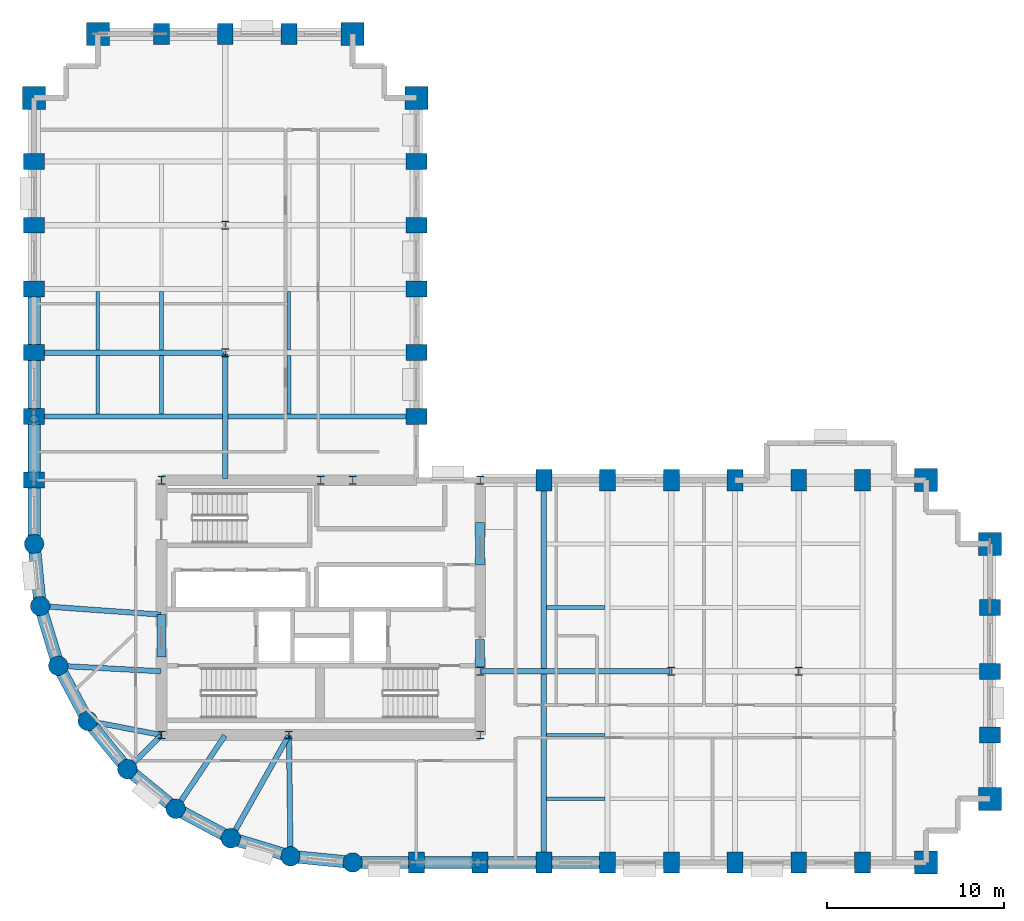
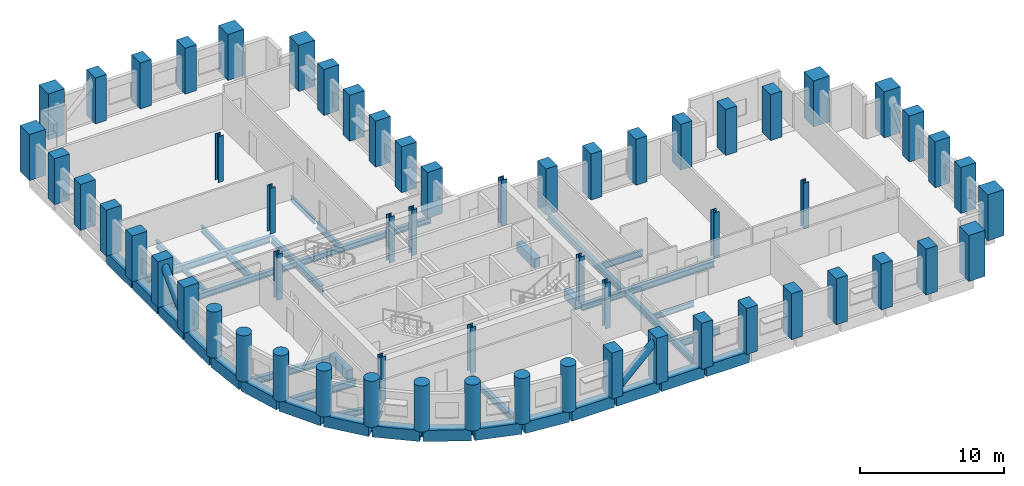
# One storey, part 1 of 9: 60 columns, 40 beams, 2 members.
"""IFC4 building model written with IfcOpenShell, lengths in metres."""

import ifcopenshell
import ifcopenshell.guid

model = None  # the IFC model being written
_history = None  # IfcOwnerHistory: only IFC2X3 demands one
_inside = {}  # id of a spatial element -> (the spatial element, [elements in it])
_under = {}  # id of a project, library or spatial element -> (it, [spatial elements below it])
_declared = {}  # id of a project -> (the project, [libraries it declares])
_typed = {}  # id of a type object -> (the type object, [elements of that type])
_made_of = {}  # id of a material, layer set ... -> (it, [elements and type objects made of it])


def new_model(schema):
    """Start an empty IFC model of exactly this schema.

    Asked for "IFC4X3", IfcOpenShell would pick the latest addendum, in which some entities
    have other attributes; the version numbers below select the first issue.
    IFC2X3 requires an IfcOwnerHistory on every rooted entity: one is made here for all.
    """
    global model, _history
    if schema == "IFC4X3":
        model = ifcopenshell.file(schema_version=(4, 3, 0, 0))
    else:
        model = ifcopenshell.file(schema=schema)
    _inside.clear()
    _under.clear()
    _declared.clear()
    _typed.clear()
    _made_of.clear()
    _history = None
    if model.schema == "IFC2X3":
        org = make("IfcOrganization", Name="unknown")
        user = make(
            "IfcPersonAndOrganization",
            ThePerson=make("IfcPerson", FamilyName="unknown"),
            TheOrganization=org,
        )
        app = make(
            "IfcApplication",
            ApplicationDeveloper=org,
            Version="unknown",
            ApplicationFullName="unknown",
            ApplicationIdentifier="unknown",
        )
        _history = make(
            "IfcOwnerHistory",
            OwningUser=user,
            OwningApplication=app,
            ChangeAction="ADDED",
            CreationDate=0,
        )
    return model


def make(cls, **values):
    """One entity of the class cls with the attributes given. An attribute that is None is left unset."""
    return model.create_entity(
        cls, **{name: value for name, value in values.items() if value is not None}
    )


def rooted(cls, **values):
    """An entity with a GlobalId (a new one), such as an element, a storey or a relation."""
    return make(cls, GlobalId=ifcopenshell.guid.new(), OwnerHistory=_history, **values)


def si_unit(unit_type, name, prefix=None):
    """IfcSIUnit, for example si_unit("LENGTHUNIT", "METRE", prefix="MILLI")."""
    return make("IfcSIUnit", UnitType=unit_type, Prefix=prefix, Name=name)


def assignment(units):
    """IfcUnitAssignment: the units of a project."""
    return None if units is None else make("IfcUnitAssignment", Units=units)


def point(xyz):
    """IfcCartesianPoint."""
    return None if xyz is None else make("IfcCartesianPoint", Coordinates=xyz)


def direction(xyz):
    """IfcDirection."""
    return None if xyz is None else make("IfcDirection", DirectionRatios=xyz)


def frame(location, z_axis=None, x_axis=None):
    """IfcAxis2Placement3D, a coordinate frame: its origin and axes. An axis left out is left unset."""
    return make(
        "IfcAxis2Placement3D",
        Location=point(location),
        Axis=direction(z_axis),
        RefDirection=direction(x_axis),
    )


def frame_2d(location, x_axis=None):
    """IfcAxis2Placement2D, a coordinate frame in the plane: its origin and x axis."""
    return make(
        "IfcAxis2Placement2D", Location=point(location), RefDirection=direction(x_axis)
    )


def origin():
    """The frame at (0, 0, 0) with its axes left unset."""
    return frame((0.0, 0.0, 0.0))


def origin_2d():
    """The frame at (0, 0) in the plane with its x axis left unset."""
    return frame_2d((0.0, 0.0))


def place(relative_to, where):
    """IfcLocalPlacement: puts the frame where relative to a parent placement (None: the world)."""
    return make(
        "IfcLocalPlacement", PlacementRelTo=relative_to, RelativePlacement=where
    )


def context(
    kind, dimensions, precision=None, world=None, true_north=None, identifier=None
):
    """IfcGeometricRepresentationContext, for example the 3D "Model" context."""
    return make(
        "IfcGeometricRepresentationContext",
        ContextIdentifier=identifier,
        ContextType=kind,
        CoordinateSpaceDimension=dimensions,
        Precision=precision,
        WorldCoordinateSystem=world,
        TrueNorth=true_north,
    )


def subcontext(parent, identifier, kind, view, scale=None):
    """IfcGeometricRepresentationSubContext, for example "Body" below "Model"."""
    return make(
        "IfcGeometricRepresentationSubContext",
        ContextIdentifier=identifier,
        ContextType=kind,
        ParentContext=parent,
        TargetScale=scale,
        TargetView=view,
    )


def project(units=None, contexts=None):
    """IfcProject with its units and contexts."""
    return rooted(
        "IfcProject",
        Name="project",
        RepresentationContexts=contexts,
        UnitsInContext=assignment(units),
    )


def spatial(cls, under=None, at=None, **own):
    """A site, building, storey or space (cls), placed at a placement, below another one or the project."""
    s = rooted(cls, ObjectPlacement=at, **own)
    if under is not None:
        _under.setdefault(under.id(), (under, []))[1].append(s)
    return s


def profile(cls, at=None, kind="AREA", **sizes):
    """A parametric profile (cls). Its sizes go by their IFC names, for example OverallWidth=200.0."""
    return make(cls, ProfileType=kind, Position=at, **sizes)


def rectangle(**sizes):
    """IfcRectangleProfileDef."""
    return profile("IfcRectangleProfileDef", **sizes)


def circle(**sizes):
    """IfcCircleProfileDef."""
    return profile("IfcCircleProfileDef", **sizes)


def hollow_circle(**sizes):
    """IfcCircleHollowProfileDef."""
    return profile("IfcCircleHollowProfileDef", **sizes)


def i_section(**sizes):
    """IfcIShapeProfileDef."""
    return profile("IfcIShapeProfileDef", **sizes)


def extrude(swept, where, along, depth):
    """IfcExtrudedAreaSolid: the profile swept, set in the frame where, extruded along a direction by depth."""
    return make(
        "IfcExtrudedAreaSolid",
        SweptArea=swept,
        Position=where,
        ExtrudedDirection=direction(along),
        Depth=depth,
    )


def shape(context_of_items, identifier, shape_type, items):
    """IfcShapeRepresentation: the items that make up one representation, for example the "Body"."""
    return make(
        "IfcShapeRepresentation",
        ContextOfItems=context_of_items,
        RepresentationIdentifier=identifier,
        RepresentationType=shape_type,
        Items=items,
    )


def material(Name=None, Category=None):
    """IfcMaterial."""
    return make("IfcMaterial", Name=Name, Category=Category)


def material_profile(
    of_material, cross_section, Name=None, Category=None, Priority=None
):
    """IfcMaterialProfile: a cross section and its material."""
    return make(
        "IfcMaterialProfile",
        Name=Name,
        Material=of_material,
        Profile=cross_section,
        Priority=Priority,
        Category=Category,
    )


def profile_set(profiles, Name=None, composite=None):
    """IfcMaterialProfileSet."""
    return make(
        "IfcMaterialProfileSet",
        Name=Name,
        MaterialProfiles=profiles,
        CompositeProfile=composite,
    )


def made_of(thing, what):
    """Note that an element or type object is made of a material, layer set ...; save() writes the relation."""
    if what is not None:
        _made_of.setdefault(what.id(), (what, []))[1].append(thing)
    return thing


def type_object(cls, material=None, **own):
    """A type object (cls), such as IfcWallType, which elements share."""
    return made_of(rooted(cls, **own), material)


def element(
    cls,
    number,
    at=None,
    inside=None,
    cuts=None,
    type_object=None,
    material=None,
    context=None,
    identifier="Body",
    shape_type=None,
    held_by="IfcProductDefinitionShape",
    body=None,
    shapes=None,
    **own,
):
    """One element of the class cls, such as IfcWall. Its Tag is "e" and its number.

    at: its placement. inside: the storey or other place that contains it. cuts: it is an
    opening in that element (IfcRelVoidsElement). A single representation is given by context,
    identifier, shape_type and body (its items); several are given by shapes. held_by: the class
    of the entity that holds the representations. save() writes the other relations.
    """
    e = rooted(cls, Tag="e%d" % number, ObjectPlacement=at, **own)
    if body is not None:
        shapes = [shape(context, identifier, shape_type, body)]
    if shapes is not None:
        e.Representation = make(held_by, Representations=shapes)
    if inside is not None:
        _inside.setdefault(inside.id(), (inside, []))[1].append(e)
    if cuts is not None:
        rooted(
            "IfcRelVoidsElement", RelatingBuildingElement=cuts, RelatedOpeningElement=e
        )
    if type_object is not None:
        _typed.setdefault(type_object.id(), (type_object, []))[1].append(e)
    return made_of(e, material)


def aggregate(whole, parts):
    """IfcRelAggregates: a whole, such as a stair, and the parts it consists of."""
    return rooted("IfcRelAggregates", RelatingObject=whole, RelatedObjects=parts)


def save(model, path):
    """Write the relations noted so far, then the file.

    IfcRelAggregates (storeys below a building ...), IfcRelContainedInSpatialStructure (elements
    in a storey), IfcRelDefinesByType, IfcRelAssociatesMaterial and IfcRelDeclares: one each for
    every whole, place, type object, material and project.
    """
    for whole, parts in _under.values():
        aggregate(whole, parts)
    for where, things in _inside.values():
        rooted(
            "IfcRelContainedInSpatialStructure",
            RelatedElements=things,
            RelatingStructure=where,
        )
    for kind, things in _typed.values():
        rooted("IfcRelDefinesByType", RelatedObjects=things, RelatingType=kind)
    for what, things in _made_of.values():
        rooted("IfcRelAssociatesMaterial", RelatedObjects=things, RelatingMaterial=what)
    for by, libraries in _declared.values():
        rooted("IfcRelDeclares", RelatingContext=by, RelatedDefinitions=libraries)
    model.write(path)


model = new_model("IFC4")

# Units and contexts
model_context = context("Model", 3, precision=1e-05, world=origin(), true_north=direction((0.0, 1.0)))
body_context = subcontext(model_context, "Body", "Model", "MODEL_VIEW")
ifc_project = project(units=[si_unit("LENGTHUNIT", "METRE"), si_unit("AREAUNIT", "SQUARE_METRE"), si_unit("VOLUMEUNIT", "CUBIC_METRE"), si_unit("PLANEANGLEUNIT", "RADIAN"), si_unit("MASSUNIT", "GRAM", prefix="KILO")], contexts=[model_context])

# Site, building, storey
site_placement = place(None, origin())
site = spatial("IfcSite", under=ifc_project, at=site_placement, CompositionType="ELEMENT")
building_placement = place(site_placement, origin())
building = spatial("IfcBuilding", under=site, at=building_placement, Name="Solnavia Interchange Tower", CompositionType="ELEMENT")
storey_placement = place(building_placement, frame((0.0, 0.0, 70.800048828125)))
storey = spatial("IfcBuildingStorey", under=building, at=storey_placement, Name="L17", CompositionType="ELEMENT", Elevation=70.800048828125)

# Columns
ifc_material_1 = material(Name="Concrete C60/75", Category="concrete")
ifc_material_profile_1 = material_profile(ifc_material_1, rectangle(XDim=0.89990234375, YDim=1.199951171875, at=origin_2d()), Name="RC 1200x900")
ifc_profile_set_1 = profile_set([ifc_material_profile_1], Name="Concrete C60/75")
column_type_1 = type_object("IfcColumnType", Name="Col-RC-1200x900", PredefinedType="COLUMN", material=ifc_profile_set_1)
for number, where, z_axis, x_axis, name in (
    (1, (7.199951171875, 25.199951171875, 0.0), (0.0, 0.0, 1.0), (0.0, 1.0, 0.0), "COL-L17-02 Tower perim y column"),
    (2, (7.199951171875, 28.800048828125, 0.0), (0.0, 0.0, 1.0), (0.0, 1.0, 0.0), "COL-L17-03 Tower perim y column"),
    (3, (7.199951171875, 32.39990234375, 0.0), (0.0, 0.0, 1.0), (0.0, 1.0, 0.0), "COL-L17-04 Tower perim y column"),
    (4, (7.199951171875, 36.0, 0.0), (0.0, 0.0, 1.0), (0.0, 1.0, 0.0), "COL-L17-05 Tower perim y column"),
    (5, (7.199951171875, 39.60009765625, 0.0), (0.0, 0.0, 1.0), (0.0, 1.0, 0.0), "COL-L17-06 Tower perim y column"),
    (6, (7.199951171875, 43.199951171875, 0.0), (0.0, 0.0, 1.0), (0.0, 1.0, 0.0), "COL-L17-07 Tower perim y column"),
    (7, (14.39990234375, 50.39990234375, 0.0), (0.0, 0.0, 1.0), (1.0, 0.0, 0.0), "COL-L17-16 Tower perim x column"),
    (8, (18.0, 50.39990234375, 0.0), (0.0, 0.0, 1.0), (1.0, 0.0, 0.0), "COL-L17-20 Tower perim x column"),
    (9, (21.60009765625, 50.39990234375, 0.0), (0.0, 0.0, 1.0), (1.0, 0.0, 0.0), "COL-L17-23 Tower perim x column"),
    (10, (28.800048828125, 3.60009765625, 0.0), (0.0, 0.0, 1.0), (1.0, 0.0, 0.0), "COL-L17-29 Tower perim x column"),
    (11, (28.800048828125, 28.800048828125, 0.0), (0.0, 0.0, 1.0), (0.0, 1.0, 0.0), "COL-L17-30 Tower perim y column"),
    (12, (28.800048828125, 32.39990234375, 0.0), (0.0, 0.0, 1.0), (0.0, 1.0, 0.0), "COL-L17-31 Tower perim y column"),
    (13, (28.800048828125, 36.0, 0.0), (0.0, 0.0, 1.0), (0.0, 1.0, 0.0), "COL-L17-32 Tower perim y column"),
    (14, (28.800048828125, 39.60009765625, 0.0), (0.0, 0.0, 1.0), (0.0, 1.0, 0.0), "COL-L17-33 Tower perim y column"),
    (15, (28.800048828125, 43.199951171875, 0.0), (0.0, 0.0, 1.0), (0.0, 1.0, 0.0), "COL-L17-34 Tower perim y column"),
    (16, (32.39990234375, 3.60009765625, 0.0), (0.0, 0.0, 1.0), (1.0, 0.0, 0.0), "COL-L17-36 Tower perim x column"),
    (17, (36.0, 3.60009765625, 0.0), (0.0, 0.0, 1.0), (1.0, 0.0, 0.0), "COL-L17-40 Tower perim x column"),
    (18, (36.0, 25.199951171875, 0.0), (0.0, 0.0, 1.0), (1.0, 0.0, 0.0), "COL-L17-41 Tower perim x column"),
    (19, (39.60009765625, 3.60009765625, 0.0), (0.0, 0.0, 1.0), (1.0, 0.0, 0.0), "COL-L17-42 Tower perim x column"),
    (20, (39.60009765625, 25.199951171875, 0.0), (0.0, 0.0, 1.0), (1.0, 0.0, 0.0), "COL-L17-43 Tower perim x column"),
    (21, (43.199951171875, 3.60009765625, 0.0), (0.0, 0.0, 1.0), (1.0, 0.0, 0.0), "COL-L17-44 Tower perim x column"),
    (22, (43.199951171875, 25.199951171875, 0.0), (0.0, 0.0, 1.0), (1.0, 0.0, 0.0), "COL-L17-46 Tower perim x column"),
    (23, (46.800048828125, 3.60009765625, 0.0), (0.0, 0.0, 1.0), (1.0, 0.0, 0.0), "COL-L17-47 Tower perim x column"),
    (24, (46.800048828125, 25.199951171875, 0.0), (0.0, 0.0, 1.0), (1.0, 0.0, 0.0), "COL-L17-48 Tower perim x column"),
    (25, (50.39990234375, 3.60009765625, 0.0), (0.0, 0.0, 1.0), (1.0, 0.0, 0.0), "COL-L17-49 Tower perim x column"),
    (26, (50.39990234375, 25.199951171875, 0.0), (0.0, 0.0, 1.0), (1.0, 0.0, 0.0), "COL-L17-51 Tower perim x column"),
    (27, (54.0, 3.60009765625, 0.0), (0.0, 0.0, 1.0), (1.0, 0.0, 0.0), "COL-L17-52 Tower perim x column"),
    (28, (54.0, 25.199951171875, 0.0), (0.0, 0.0, 1.0), (1.0, 0.0, 0.0), "COL-L17-53 Tower perim x column"),
    (29, (61.199951171875, 10.800048828125, 0.0), (0.0, 0.0, 1.0), (0.0, 1.0, 0.0), "COL-L17-57 Tower perim y column"),
    (30, (61.199951171875, 14.39990234375, 0.0), (0.0, 0.0, 1.0), (0.0, 1.0, 0.0), "COL-L17-58 Tower perim y column"),
    (31, (61.199951171875, 18.0, 0.0), (0.0, 0.0, 1.0), (0.0, 1.0, 0.0), "COL-L17-59 Tower perim y column"),
):
    element("IfcColumn", number, at=place(storey_placement, frame(where, z_axis=z_axis, x_axis=x_axis)), inside=storey, type_object=column_type_1, Name=name, PredefinedType="COLUMN", context=body_context, shape_type="SweptSolid", body=[
        extrude(rectangle(XDim=0.89990234375, YDim=1.199951171875, at=origin_2d()), origin(), (0.0, 0.0, 1.0), 3.89990234375),
    ])
ifc_material_profile_2 = material_profile(ifc_material_1, rectangle(XDim=1.300048828125, YDim=1.300048828125, at=origin_2d()), Name="RC 1300x1300")
ifc_profile_set_2 = profile_set([ifc_material_profile_2], Name="Concrete C60/75")
column_type_2 = type_object("IfcColumnType", Name="Col-RC-1300x1300", PredefinedType="COLUMN", material=ifc_profile_set_2)
for number, where, z_axis, x_axis, name in (
    (32, (7.199951171875, 46.800048828125, 0.0), (0.0, 0.0, 1.0), (0.0, 1.0, 0.0), "COL-L17-08 Tower corner column"),
    (33, (10.800048828125, 50.39990234375, 0.0), (0.0, 0.0, 1.0), (1.0, 0.0, 0.0), "COL-L17-12 Tower corner column"),
    (34, (25.199951171875, 50.39990234375, 0.0), (0.0, 0.0, 1.0), (1.0, 0.0, 0.0), "COL-L17-28 Tower corner column"),
    (35, (28.800048828125, 46.800048828125, 0.0), (0.0, 0.0, 1.0), (0.0, 1.0, 0.0), "COL-L17-35 Tower corner column"),
    (36, (57.60009765625, 3.60009765625, 0.0), (0.0, 0.0, 1.0), (1.0, 0.0, 0.0), "COL-L17-54 Tower corner column"),
    (37, (57.60009765625, 25.199951171875, 0.0), (0.0, 0.0, 1.0), (1.0, 0.0, 0.0), "COL-L17-55 Tower corner column"),
    (38, (61.199951171875, 7.199951171875, 0.0), (0.0, 0.0, 1.0), (1.0, 0.0, 0.0), "COL-L17-56 Tower corner column"),
    (39, (61.199951171875, 21.60009765625, 0.0), (0.0, 0.0, 1.0), (0.0, 1.0, 0.0), "COL-L17-60 Tower corner column"),
):
    element("IfcColumn", number, at=place(storey_placement, frame(where, z_axis=z_axis, x_axis=x_axis)), inside=storey, type_object=column_type_2, Name=name, PredefinedType="COLUMN", context=body_context, shape_type="SweptSolid", body=[
        extrude(rectangle(XDim=1.300048828125, YDim=1.300048828125, at=origin_2d()), origin(), (0.0, 0.0, 1.0), 3.89990234375),
    ])
ifc_material_profile_3 = material_profile(ifc_material_1, circle(Radius=0.550048828125, at=origin_2d()), Name="RC D1100")
ifc_profile_set_3 = profile_set([ifc_material_profile_3], Name="Concrete C60/75")
column_type_3 = type_object("IfcColumnType", Name="Col-RC-D1100", PredefinedType="COLUMN", material=ifc_profile_set_3)
for number, where, z_axis, x_axis, name in (
    (40, (7.199951171875, 21.60009765625, 0.0), (0.0, 0.0, 1.0), (1.0, 0.0, 0.0), "COL-L17-01 Tower drum column"),
    (41, (7.5458984375, 18.087890625, 0.0), (0.0, 0.0, 1.0), (1.0, 0.0, 0.0), "COL-L17-09 Tower drum column"),
    (42, (8.570068359375, 14.7119140625, 0.0), (0.0, 0.0, 1.0), (1.0, 0.0, 0.0), "COL-L17-10 Tower drum column"),
    (43, (10.23388671875, 11.60009765625, 0.0), (0.0, 0.0, 1.0), (1.0, 0.0, 0.0), "COL-L17-11 Tower drum column"),
    (44, (12.471923828125, 8.8720703125, 0.0), (0.0, 0.0, 1.0), (1.0, 0.0, 0.0), "COL-L17-13 Tower drum column"),
    (45, (15.199951171875, 6.634033203125, 0.0), (0.0, 0.0, 1.0), (1.0, 0.0, 0.0), "COL-L17-17 Tower drum column"),
    (46, (18.31201171875, 4.969970703125, 0.0), (0.0, 0.0, 1.0), (1.0, 0.0, 0.0), "COL-L17-21 Tower drum column"),
    (47, (21.68798828125, 3.946044921875, 0.0), (0.0, 0.0, 1.0), (1.0, 0.0, 0.0), "COL-L17-24 Tower drum column"),
    (48, (25.199951171875, 3.60009765625, 0.0), (0.0, 0.0, 1.0), (1.0, 0.0, 0.0), "COL-L17-26 Tower drum column"),
):
    element("IfcColumn", number, at=place(storey_placement, frame(where, z_axis=z_axis, x_axis=x_axis)), inside=storey, type_object=column_type_3, Name=name, PredefinedType="COLUMN", context=body_context, shape_type="SweptSolid", body=[
        extrude(circle(Radius=0.550048828125, at=origin_2d()), origin(), (0.0, 0.0, 1.0), 3.89990234375),
    ])
ifc_material_2 = material(Name="Steel S355", Category="steel")
ifc_material_profile_4 = material_profile(ifc_material_2, i_section(OverallWidth=0.424072265625, OverallDepth=0.467041015625, WebThickness=0.032958984375, FlangeThickness=0.053466796875, FilletRadius=0.014892578125, at=origin_2d()), Name="HD 400x509")
ifc_profile_set_4 = profile_set([ifc_material_profile_4], Name="Steel S355")
column_type_4 = type_object("IfcColumnType", Name="Col-Steel-HD400x509", PredefinedType="COLUMN", material=ifc_profile_set_4)
for number, where, z_axis, x_axis, name in (
    (49, (14.39990234375, 10.800048828125, 0.0), (0.0, 0.0, 1.0), (1.0, 0.0, 0.0), "COL-L17-14 Tower interior column"),
    (50, (14.39990234375, 25.199951171875, 0.0), (0.0, 0.0, 1.0), (1.0, 0.0, 0.0), "COL-L17-15 Tower interior column"),
    (51, (18.0, 32.39990234375, 0.0), (0.0, 0.0, 1.0), (1.0, 0.0, 0.0), "COL-L17-18 Tower interior column"),
    (52, (18.0, 39.60009765625, 0.0), (0.0, 0.0, 1.0), (1.0, 0.0, 0.0), "COL-L17-19 Tower interior column"),
    (53, (21.60009765625, 10.800048828125, 0.0), (0.0, 0.0, 1.0), (1.0, 0.0, 0.0), "COL-L17-22 Tower interior column"),
    (54, (23.39990234375, 25.199951171875, 0.0), (0.0, 0.0, 1.0), (1.0, 0.0, 0.0), "COL-L17-25 Tower interior column"),
    (55, (25.199951171875, 25.199951171875, 0.0), (0.0, 0.0, 1.0), (1.0, 0.0, 0.0), "COL-L17-27 Tower interior column"),
    (56, (32.39990234375, 10.800048828125, 0.0), (0.0, 0.0, 1.0), (1.0, 0.0, 0.0), "COL-L17-37 Tower interior column"),
    (57, (32.39990234375, 14.39990234375, 0.0), (0.0, 0.0, 1.0), (1.0, 0.0, 0.0), "COL-L17-38 Tower interior column"),
    (58, (32.39990234375, 25.199951171875, 0.0), (0.0, 0.0, 1.0), (1.0, 0.0, 0.0), "COL-L17-39 Tower interior column"),
    (59, (43.199951171875, 14.39990234375, 0.0), (0.0, 0.0, 1.0), (1.0, 0.0, 0.0), "COL-L17-45 Tower interior column"),
    (60, (50.39990234375, 14.39990234375, 0.0), (0.0, 0.0, 1.0), (1.0, 0.0, 0.0), "COL-L17-50 Tower interior column"),
):
    element("IfcColumn", number, at=place(storey_placement, frame(where, z_axis=z_axis, x_axis=x_axis)), inside=storey, type_object=column_type_4, Name=name, PredefinedType="COLUMN", context=body_context, shape_type="SweptSolid", body=[
        extrude(i_section(OverallWidth=0.424072265625, OverallDepth=0.467041015625, WebThickness=0.032958984375, FlangeThickness=0.053466796875, FilletRadius=0.014892578125, at=origin_2d()), origin(), (0.0, 0.0, 1.0), 3.89990234375),
    ])

# Beams
ifc_material_3 = material(Name="Concrete C50/60", Category="concrete")
ifc_material_profile_5 = material_profile(ifc_material_3, rectangle(XDim=0.5, YDim=0.800048828125, at=origin_2d()), Name="RC 500x800")
ifc_profile_set_5 = profile_set([ifc_material_profile_5], Name="Concrete C50/60")
beam_type_1 = type_object("IfcBeamType", Name="Beam-Coupling-RC500x800", PredefinedType="LINTEL", material=ifc_profile_set_5)
beam_1_placement = place(storey_placement, frame((14.39990234375, 15.199951171875, -0.400146484375), z_axis=(0.0, 1.0, 0.0), x_axis=(-1.0, 0.0, 0.0)))
element("IfcBeam", 61, at=beam_1_placement, inside=storey, type_object=beam_type_1, Name="CPB-L17-W1 Core coupling lintel beam", PredefinedType="LINTEL", context=body_context, shape_type="SweptSolid", body=[
    extrude(rectangle(XDim=0.5, YDim=0.800048828125, at=origin_2d()), origin(), (0.0, 0.0, 1.0), 2.400146484375),
])
beam_2_placement = place(storey_placement, frame((32.39990234375, 14.60009765625, -0.400146484375), z_axis=(0.0, 1.0, 0.0), x_axis=(-1.0, 0.0, 0.0)))
element("IfcBeam", 62, at=beam_2_placement, inside=storey, type_object=beam_type_1, Name="CPB-L17-E1 Core coupling lintel beam", PredefinedType="LINTEL", context=body_context, shape_type="SweptSolid", body=[
    extrude(rectangle(XDim=0.5, YDim=0.800048828125, at=origin_2d()), origin(), (0.0, 0.0, 1.0), 1.599853515625),
])
beam_3_placement = place(storey_placement, frame((32.39990234375, 20.39990234375, -0.400146484375), z_axis=(0.0, 1.0, 0.0), x_axis=(-1.0, 0.0, 0.0)))
element("IfcBeam", 63, at=beam_3_placement, inside=storey, type_object=beam_type_1, Name="CPB-L17-E2 Core coupling lintel beam", PredefinedType="LINTEL", context=body_context, shape_type="SweptSolid", body=[
    extrude(rectangle(XDim=0.5, YDim=0.800048828125, at=origin_2d()), origin(), (0.0, 0.0, 1.0), 2.400146484375),
])
ifc_material_4 = material(Name="Steel S460", Category="steel")
ifc_material_profile_6 = material_profile(ifc_material_4, i_section(OverallWidth=0.300048828125, OverallDepth=0.550048828125, WebThickness=0.014892578125, FlangeThickness=0.029052734375, FilletRadius=0.027099609375, at=origin_2d()), Name="HEB 550")
ifc_profile_set_6 = profile_set([ifc_material_profile_6], Name="Steel S460")
beam_type_2 = type_object("IfcBeamType", Name="Beam-Girder-HEB550", PredefinedType="BEAM", material=ifc_profile_set_6)
beam_4_placement = place(storey_placement, frame((32.47998046875, 14.39990234375, -0.525146484375), z_axis=(1.0, 0.0, 0.0), x_axis=(0.0, 1.0, 0.0)))
element("IfcBeam", 64, at=beam_4_placement, inside=storey, type_object=beam_type_2, Name="GRD-L17-ES01 East wing spine girder", PredefinedType="BEAM", context=body_context, shape_type="SweptSolid", body=[
    extrude(i_section(OverallWidth=0.300048828125, OverallDepth=0.550048828125, WebThickness=0.014892578125, FlangeThickness=0.029052734375, FilletRadius=0.027099609375, at=origin_2d()), origin(), (0.0, 0.0, 1.0), 10.64013671875),
])
beam_5_placement = place(storey_placement, frame((36.0, 3.679931640625, -0.525146484375), z_axis=(0.0, 1.0, 0.0), x_axis=(-1.0, 0.0, 0.0)))
element("IfcBeam", 65, at=beam_5_placement, inside=storey, type_object=beam_type_2, Name="GRD-L17-EW04 East wing primary floor girder", PredefinedType="BEAM", context=body_context, shape_type="SweptSolid", body=[
    extrude(i_section(OverallWidth=0.300048828125, OverallDepth=0.550048828125, WebThickness=0.014892578125, FlangeThickness=0.029052734375, FilletRadius=0.027099609375, at=origin_2d()), origin(), (0.0, 0.0, 1.0), 21.440185546875),
])
beam_6_placement = place(storey_placement, frame((18.0, 25.280029296875, -0.525146484375), z_axis=(0.0, 1.0, 0.0), x_axis=(-1.0, 0.0, 0.0)))
element("IfcBeam", 66, at=beam_6_placement, inside=storey, type_object=beam_type_2, Name="GRD-L17-NS12 North wing spine girder", PredefinedType="BEAM", context=body_context, shape_type="SweptSolid", body=[
    extrude(i_section(OverallWidth=0.300048828125, OverallDepth=0.550048828125, WebThickness=0.014892578125, FlangeThickness=0.029052734375, FilletRadius=0.027099609375, at=origin_2d()), origin(), (0.0, 0.0, 1.0), 7.0400390625),
])
beam_7_placement = place(storey_placement, frame((7.280029296875, 32.39990234375, -0.525146484375), z_axis=(1.0, 0.0, 0.0), x_axis=(0.0, 1.0, 0.0)))
element("IfcBeam", 67, at=beam_7_placement, inside=storey, type_object=beam_type_2, Name="GRD-L17-NW16 North wing primary floor girder", PredefinedType="BEAM", context=body_context, shape_type="SweptSolid", body=[
    extrude(i_section(OverallWidth=0.300048828125, OverallDepth=0.550048828125, WebThickness=0.014892578125, FlangeThickness=0.029052734375, FilletRadius=0.027099609375, at=origin_2d()), origin(), (0.0, 0.0, 1.0), 10.639892578125),
])
beam_8_placement = place(storey_placement, frame((7.625732421875, 18.082275390625, -0.525146484375), z_axis=(0.99747482749, -0.071020902015, 0.0), x_axis=(0.071020902015, 0.99747482749, 0.0)))
element("IfcBeam", 68, at=beam_8_placement, inside=storey, type_object=beam_type_2, Name="GRD-L17-DR22 Drum radial floor girder", PredefinedType="BEAM", context=body_context, shape_type="SweptSolid", body=[
    extrude(i_section(OverallWidth=0.300048828125, OverallDepth=0.550048828125, WebThickness=0.014892578125, FlangeThickness=0.029052734375, FilletRadius=0.027099609375, at=origin_2d()), origin(), (0.0, 0.0, 1.0), 6.75146484375),
])
beam_9_placement = place(storey_placement, frame((12.528564453125, 8.9287109375, -0.525146484375), z_axis=(0.707106781187, 0.707106781187, 0.0), x_axis=(-0.707106781187, 0.707106781187, 0.0)))
element("IfcBeam", 69, at=beam_9_placement, inside=storey, type_object=beam_type_2, Name="GRD-L17-DR25 Drum radial floor girder", PredefinedType="BEAM", context=body_context, shape_type="SweptSolid", body=[
    extrude(i_section(OverallWidth=0.300048828125, OverallDepth=0.550048828125, WebThickness=0.014892578125, FlangeThickness=0.029052734375, FilletRadius=0.027099609375, at=origin_2d()), origin(), (0.0, 0.0, 1.0), 2.6064453125),
])
beam_10_placement = place(storey_placement, frame((21.68701171875, 4.02587890625, -0.525146484375), z_axis=(-0.01283293513, 0.999917654498, 0.0), x_axis=(-0.999917654498, -0.01283293513, 0.0)))
element("IfcBeam", 70, at=beam_10_placement, inside=storey, type_object=beam_type_2, Name="GRD-L17-DR28 Drum radial floor girder", PredefinedType="BEAM", context=body_context, shape_type="SweptSolid", body=[
    extrude(i_section(OverallWidth=0.300048828125, OverallDepth=0.550048828125, WebThickness=0.014892578125, FlangeThickness=0.029052734375, FilletRadius=0.027099609375, at=origin_2d()), origin(), (0.0, 0.0, 1.0), 6.734619140625),
])
ifc_material_profile_7 = material_profile(ifc_material_2, i_section(OverallWidth=0.18994140625, OverallDepth=0.449951171875, WebThickness=0.009521484375, FlangeThickness=0.0146484375, FilletRadius=0.02099609375, at=origin_2d()), Name="IPE 450")
ifc_profile_set_7 = profile_set([ifc_material_profile_7], Name="Steel S355")
beam_type_3 = type_object("IfcBeamType", Name="Beam-Joist-IPE450", PredefinedType="JOIST", material=ifc_profile_set_7)
for number, where, z_axis, x_axis, name in (
    (71, (36.14990234375, 10.800048828125, -0.47509765625), (1.0, 0.0, 0.0), (0.0, 1.0, 0.0), "JST-L17-E06 East wing secondary joist"),
    (72, (10.800048828125, 28.949951171875, -0.47509765625), (0.0, 1.0, 0.0), (-1.0, 0.0, 0.0), "JST-L17-N21 North wing secondary joist"),
    (73, (21.60009765625, 32.550048828125, -0.47509765625), (0.0, 1.0, 0.0), (-1.0, 0.0, 0.0), "JST-L17-N30 North wing secondary joist"),
):
    element("IfcBeam", number, at=place(storey_placement, frame(where, z_axis=z_axis, x_axis=x_axis)), inside=storey, type_object=beam_type_3, Name=name, PredefinedType="JOIST", context=body_context, shape_type="SweptSolid", body=[
        extrude(i_section(OverallWidth=0.18994140625, OverallDepth=0.449951171875, WebThickness=0.009521484375, FlangeThickness=0.0146484375, FilletRadius=0.02099609375, at=origin_2d()), origin(), (0.0, 0.0, 1.0), 3.300048828125),
    ])
ifc_material_profile_8 = material_profile(ifc_material_2, i_section(OverallWidth=0.2099609375, OverallDepth=0.550048828125, WebThickness=0.010986328125, FlangeThickness=0.01708984375, FilletRadius=0.02392578125, at=origin_2d()), Name="IPE 550")
ifc_profile_set_8 = profile_set([ifc_material_profile_8], Name="Steel S355")
beam_type_4 = type_object("IfcBeamType", Name="Beam-Joist-IPE550", PredefinedType="JOIST", material=ifc_profile_set_8)
for number, where, z_axis, x_axis, name in (
    (74, (36.14990234375, 18.0, -0.525146484375), (1.0, 0.0, 0.0), (0.0, 1.0, 0.0), "JST-L17-E11 East wing secondary joist"),
    (75, (14.39990234375, 32.550048828125, -0.525146484375), (0.0, 1.0, 0.0), (-1.0, 0.0, 0.0), "JST-L17-N26 North wing secondary joist"),
    (76, (21.60009765625, 28.949951171875, -0.525146484375), (0.0, 1.0, 0.0), (-1.0, 0.0, 0.0), "JST-L17-N29 North wing secondary joist"),
):
    element("IfcBeam", number, at=place(storey_placement, frame(where, z_axis=z_axis, x_axis=x_axis)), inside=storey, type_object=beam_type_4, Name=name, PredefinedType="JOIST", context=body_context, shape_type="SweptSolid", body=[
        extrude(i_section(OverallWidth=0.2099609375, OverallDepth=0.550048828125, WebThickness=0.010986328125, FlangeThickness=0.01708984375, FilletRadius=0.02392578125, at=origin_2d()), origin(), (0.0, 0.0, 1.0), 3.300048828125),
    ])
ifc_material_profile_9 = material_profile(ifc_material_2, i_section(OverallWidth=0.219970703125, OverallDepth=0.60009765625, WebThickness=0.011962890625, FlangeThickness=0.01904296875, FilletRadius=0.02392578125, at=origin_2d()), Name="IPE 600")
ifc_profile_set_9 = profile_set([ifc_material_profile_9], Name="Steel S355")
beam_type_5 = type_object("IfcBeamType", Name="Beam-Joist-IPE600", PredefinedType="JOIST", material=ifc_profile_set_9)
for number, where, z_axis, x_axis, name in (
    (77, (36.14990234375, 7.199951171875, -0.550048828125), (1.0, 0.0, 0.0), (0.0, 1.0, 0.0), "JST-L17-E01 East wing secondary joist"),
    (78, (10.800048828125, 32.550048828125, -0.550048828125), (0.0, 1.0, 0.0), (-1.0, 0.0, 0.0), "JST-L17-N22 North wing secondary joist"),
    (79, (14.39990234375, 28.949951171875, -0.550048828125), (0.0, 1.0, 0.0), (-1.0, 0.0, 0.0), "JST-L17-N25 North wing secondary joist"),
):
    element("IfcBeam", number, at=place(storey_placement, frame(where, z_axis=z_axis, x_axis=x_axis)), inside=storey, type_object=beam_type_5, Name=name, PredefinedType="JOIST", context=body_context, shape_type="SweptSolid", body=[
        extrude(i_section(OverallWidth=0.219970703125, OverallDepth=0.60009765625, WebThickness=0.011962890625, FlangeThickness=0.01904296875, FilletRadius=0.02392578125, at=origin_2d()), origin(), (0.0, 0.0, 1.0), 3.300048828125),
    ])
ifc_material_profile_10 = material_profile(ifc_material_2, i_section(OverallWidth=0.300048828125, OverallDepth=0.489990234375, WebThickness=0.011962890625, FlangeThickness=0.02294921875, FilletRadius=0.027099609375, at=origin_2d()), Name="HEA 500")
ifc_profile_set_10 = profile_set([ifc_material_profile_10], Name="Steel S355")
beam_type_6 = type_object("IfcBeamType", Name="Beam-Primary-HEA500", PredefinedType="BEAM", material=ifc_profile_set_10)
beam_11_placement = place(storey_placement, frame((7.280029296875, 28.800048828125, -0.4951171875), z_axis=(1.0, 0.0, 0.0), x_axis=(0.0, 1.0, 0.0)))
element("IfcBeam", 80, at=beam_11_placement, inside=storey, type_object=beam_type_6, Name="GRD-L17-NW15 North wing primary floor girder", PredefinedType="BEAM", context=body_context, shape_type="SweptSolid", body=[
    extrude(i_section(OverallWidth=0.300048828125, OverallDepth=0.489990234375, WebThickness=0.011962890625, FlangeThickness=0.02294921875, FilletRadius=0.027099609375, at=origin_2d()), origin(), (0.0, 0.0, 1.0), 21.43994140625),
])
beam_12_placement = place(storey_placement, frame((10.3125, 11.5849609375, -0.4951171875), z_axis=(0.982057527796, -0.188581579428, 0.0), x_axis=(0.188581579428, 0.982057527796, 0.0)))
element("IfcBeam", 81, at=beam_12_placement, inside=storey, type_object=beam_type_6, Name="GRD-L17-DR24 Drum radial floor girder", PredefinedType="BEAM", context=body_context, shape_type="SweptSolid", body=[
    extrude(i_section(OverallWidth=0.300048828125, OverallDepth=0.489990234375, WebThickness=0.011962890625, FlangeThickness=0.02294921875, FilletRadius=0.027099609375, at=origin_2d()), origin(), (0.0, 0.0, 1.0), 4.1220703125),
])
beam_13_placement = place(storey_placement, frame((18.351318359375, 5.039794921875, -0.4951171875), z_axis=(0.491243158486, 0.871022479182, 0.0), x_axis=(-0.871022479182, 0.491243158486, 0.0)))
element("IfcBeam", 82, at=beam_13_placement, inside=storey, type_object=beam_type_6, Name="GRD-L17-DR27 Drum radial floor girder", PredefinedType="BEAM", context=body_context, shape_type="SweptSolid", body=[
    extrude(i_section(OverallWidth=0.300048828125, OverallDepth=0.489990234375, WebThickness=0.011962890625, FlangeThickness=0.02294921875, FilletRadius=0.027099609375, at=origin_2d()), origin(), (0.0, 0.0, 1.0), 6.5732421875),
])
ifc_material_profile_11 = material_profile(ifc_material_2, i_section(OverallWidth=0.300048828125, OverallDepth=0.590087890625, WebThickness=0.012939453125, FlangeThickness=0.02490234375, FilletRadius=0.027099609375, at=origin_2d()), Name="HEA 600")
ifc_profile_set_11 = profile_set([ifc_material_profile_11], Name="Steel S355")
beam_type_7 = type_object("IfcBeamType", Name="Beam-Primary-HEA600", PredefinedType="BEAM", material=ifc_profile_set_11)
beam_14_placement = place(storey_placement, frame((8.64990234375, 14.707763671875, -0.545166015625), z_axis=(0.998570371303, -0.053452909696, 0.0), x_axis=(0.053452909696, 0.998570371303, 0.0)))
element("IfcBeam", 83, at=beam_14_placement, inside=storey, type_object=beam_type_7, Name="GRD-L17-DR23 Drum radial floor girder", PredefinedType="BEAM", context=body_context, shape_type="SweptSolid", body=[
    extrude(i_section(OverallWidth=0.300048828125, OverallDepth=0.590087890625, WebThickness=0.012939453125, FlangeThickness=0.02490234375, FilletRadius=0.027099609375, at=origin_2d()), origin(), (0.0, 0.0, 1.0), 5.71826171875),
])
beam_15_placement = place(storey_placement, frame((15.24462890625, 6.700439453125, -0.545166015625), z_axis=(0.557835474219, 0.829951555033, 0.0), x_axis=(-0.829951555033, 0.557835474219, 0.0)))
element("IfcBeam", 84, at=beam_15_placement, inside=storey, type_object=beam_type_7, Name="GRD-L17-DR26 Drum radial floor girder", PredefinedType="BEAM", context=body_context, shape_type="SweptSolid", body=[
    extrude(i_section(OverallWidth=0.300048828125, OverallDepth=0.590087890625, WebThickness=0.012939453125, FlangeThickness=0.02490234375, FilletRadius=0.027099609375, at=origin_2d()), origin(), (0.0, 0.0, 1.0), 4.899658203125),
])
ifc_material_profile_12 = material_profile(ifc_material_3, rectangle(XDim=0.699951171875, YDim=0.949951171875, at=origin_2d()), Name="RC 700x950")
ifc_profile_set_12 = profile_set([ifc_material_profile_12], Name="Concrete C50/60")
beam_type_8 = type_object("IfcBeamType", Name="Beam-Spandrel-RC700x950", PredefinedType="SPANDREL", material=ifc_profile_set_12)
beam_16_placement = place(storey_placement, frame((7.207763671875, 21.5205078125, -0.47509765625), z_axis=(0.098040038117, -0.995182471171, 0.0), x_axis=(0.995182471171, 0.098040038117, 0.0)))
element("IfcBeam", 85, at=beam_16_placement, inside=storey, type_object=beam_type_8, Name="SPB-L17-01 Framed-tube perimeter spandrel beam", PredefinedType="SPANDREL", context=body_context, shape_type="SweptSolid", body=[
    extrude(rectangle(XDim=0.699951171875, YDim=0.949951171875, at=origin_2d()), origin(), (0.0, 0.0, 1.0), 3.369140625),
])
beam_17_placement = place(storey_placement, frame((7.569091796875, 18.011474609375, -0.47509765625), z_axis=(0.290319223646, -0.956929855518, 0.0), x_axis=(0.956929855518, 0.290319223646, 0.0)))
element("IfcBeam", 86, at=beam_17_placement, inside=storey, type_object=beam_type_8, Name="SPB-L17-02 Framed-tube perimeter spandrel beam", PredefinedType="SPANDREL", context=body_context, shape_type="SweptSolid", body=[
    extrude(rectangle(XDim=0.699951171875, YDim=0.949951171875, at=origin_2d()), origin(), (0.0, 0.0, 1.0), 3.367919921875),
])
beam_18_placement = place(storey_placement, frame((8.607666015625, 14.6416015625, -0.47509765625), z_axis=(0.471509422952, -0.881861023102, 0.0), x_axis=(0.881861023102, 0.471509422952, 0.0)))
element("IfcBeam", 87, at=beam_18_placement, inside=storey, type_object=beam_type_8, Name="SPB-L17-03 Framed-tube perimeter spandrel beam", PredefinedType="SPANDREL", context=body_context, shape_type="SweptSolid", body=[
    extrude(rectangle(XDim=0.699951171875, YDim=0.949951171875, at=origin_2d()), origin(), (0.0, 0.0, 1.0), 3.369140625),
])
for number, where, z_axis, x_axis, name in (
    (88, (10.28466796875, 11.5380859375, -0.47509765625), (0.634298841675, -0.773087950656, 0.0), (0.773087950656, 0.634298841675, 0.0), "SPB-L17-04 Framed-tube perimeter spandrel beam"),
    (89, (12.53369140625, 8.8212890625, -0.47509765625), (0.773152644452, -0.634219984214, 0.0), (0.634219984214, 0.773152644452, 0.0), "SPB-L17-05 Framed-tube perimeter spandrel beam"),
):
    element("IfcBeam", number, at=place(storey_placement, frame(where, z_axis=z_axis, x_axis=x_axis)), inside=storey, type_object=beam_type_8, Name=name, PredefinedType="SPANDREL", context=body_context, shape_type="SweptSolid", body=[
        extrude(rectangle(XDim=0.699951171875, YDim=0.949951171875, at=origin_2d()), origin(), (0.0, 0.0, 1.0), 3.36865234375),
    ])
beam_19_placement = place(storey_placement, frame((15.2705078125, 6.59619140625, -0.47509765625), z_axis=(0.881875044348, -0.47148319817, 0.0), x_axis=(0.47148319817, 0.881875044348, 0.0)))
element("IfcBeam", 90, at=beam_19_placement, inside=storey, type_object=beam_type_8, Name="SPB-L17-06 Framed-tube perimeter spandrel beam", PredefinedType="SPANDREL", context=body_context, shape_type="SweptSolid", body=[
    extrude(rectangle(XDim=0.699951171875, YDim=0.949951171875, at=origin_2d()), origin(), (0.0, 0.0, 1.0), 3.368896484375),
])
beam_20_placement = place(storey_placement, frame((18.388671875, 4.94677734375, -0.47509765625), z_axis=(0.956943884494, -0.290272978297, 0.0), x_axis=(0.290272978297, 0.956943884494, 0.0)))
element("IfcBeam", 91, at=beam_20_placement, inside=storey, type_object=beam_type_8, Name="SPB-L17-07 Framed-tube perimeter spandrel beam", PredefinedType="SPANDREL", context=body_context, shape_type="SweptSolid", body=[
    extrude(rectangle(XDim=0.699951171875, YDim=0.949951171875, at=origin_2d()), origin(), (0.0, 0.0, 1.0), 3.36767578125),
])
beam_21_placement = place(storey_placement, frame((21.767578125, 3.938232421875, -0.47509765625), z_axis=(0.995181774609, -0.098047108501, 0.0), x_axis=(0.098047108501, 0.995181774609, 0.0)))
element("IfcBeam", 92, at=beam_21_placement, inside=storey, type_object=beam_type_8, Name="SPB-L17-08 Framed-tube perimeter spandrel beam", PredefinedType="SPANDREL", context=body_context, shape_type="SweptSolid", body=[
    extrude(rectangle(XDim=0.699951171875, YDim=0.949951171875, at=origin_2d()), origin(), (0.0, 0.0, 1.0), 3.368896484375),
])
beam_22_placement = place(storey_placement, frame((25.280029296875, 3.60009765625, -0.47509765625), z_axis=(1.0, 0.0, 0.0), x_axis=(0.0, 1.0, 0.0)))
element("IfcBeam", 93, at=beam_22_placement, inside=storey, type_object=beam_type_8, Name="SPB-L17-09 Framed-tube perimeter spandrel beam", PredefinedType="SPANDREL", context=body_context, shape_type="SweptSolid", body=[
    extrude(rectangle(XDim=0.699951171875, YDim=0.949951171875, at=origin_2d()), origin(), (0.0, 0.0, 1.0), 3.43994140625),
])
beam_23_placement = place(storey_placement, frame((28.8798828125, 3.60009765625, -0.47509765625), z_axis=(1.0, 0.0, 0.0), x_axis=(0.0, 1.0, 0.0)))
element("IfcBeam", 94, at=beam_23_placement, inside=storey, type_object=beam_type_8, Name="SPB-L17-10 Framed-tube perimeter spandrel beam", PredefinedType="SPANDREL", context=body_context, shape_type="SweptSolid", body=[
    extrude(rectangle(XDim=0.699951171875, YDim=0.949951171875, at=origin_2d()), origin(), (0.0, 0.0, 1.0), 3.440185546875),
])
for number, where, z_axis, x_axis, name in (
    (95, (32.47998046875, 3.60009765625, -0.47509765625), (1.0, 0.0, 0.0), (0.0, 1.0, 0.0), "SPB-L17-11 Framed-tube perimeter spandrel beam"),
    (96, (36.080078125, 3.60009765625, -0.47509765625), (1.0, 0.0, 0.0), (0.0, 1.0, 0.0), "SPB-L17-12 Framed-tube perimeter spandrel beam"),
    (97, (7.199951171875, 35.919921875, -0.47509765625), (0.0, -1.0, 0.0), (1.0, 0.0, 0.0), "SPB-L17-41 Framed-tube perimeter spandrel beam"),
):
    element("IfcBeam", number, at=place(storey_placement, frame(where, z_axis=z_axis, x_axis=x_axis)), inside=storey, type_object=beam_type_8, Name=name, PredefinedType="SPANDREL", context=body_context, shape_type="SweptSolid", body=[
        extrude(rectangle(XDim=0.699951171875, YDim=0.949951171875, at=origin_2d()), origin(), (0.0, 0.0, 1.0), 3.43994140625),
    ])
beam_24_placement = place(storey_placement, frame((7.199951171875, 32.320068359375, -0.47509765625), z_axis=(0.0, -1.0, 0.0), x_axis=(1.0, 0.0, 0.0)))
element("IfcBeam", 98, at=beam_24_placement, inside=storey, type_object=beam_type_8, Name="SPB-L17-42 Framed-tube perimeter spandrel beam", PredefinedType="SPANDREL", context=body_context, shape_type="SweptSolid", body=[
    extrude(rectangle(XDim=0.699951171875, YDim=0.949951171875, at=origin_2d()), origin(), (0.0, 0.0, 1.0), 3.440185546875),
])
beam_25_placement = place(storey_placement, frame((7.199951171875, 28.719970703125, -0.47509765625), z_axis=(0.0, -1.0, 0.0), x_axis=(1.0, 0.0, 0.0)))
element("IfcBeam", 99, at=beam_25_placement, inside=storey, type_object=beam_type_8, Name="SPB-L17-43 Framed-tube perimeter spandrel beam", PredefinedType="SPANDREL", context=body_context, shape_type="SweptSolid", body=[
    extrude(rectangle(XDim=0.699951171875, YDim=0.949951171875, at=origin_2d()), origin(), (0.0, 0.0, 1.0), 3.43994140625),
])
beam_26_placement = place(storey_placement, frame((7.199951171875, 25.1201171875, -0.47509765625), z_axis=(0.0, -1.0, 0.0), x_axis=(1.0, 0.0, 0.0)))
element("IfcBeam", 100, at=beam_26_placement, inside=storey, type_object=beam_type_8, Name="SPB-L17-44 Framed-tube perimeter spandrel beam", PredefinedType="SPANDREL", context=body_context, shape_type="SweptSolid", body=[
    extrude(rectangle(XDim=0.699951171875, YDim=0.949951171875, at=origin_2d()), origin(), (0.0, 0.0, 1.0), 3.440185546875),
])

# Members
ifc_material_profile_13 = material_profile(ifc_material_4, hollow_circle(Radius=0.304931640625, WallThickness=0.02490234375, at=origin_2d()), Name="CHS 610x25")
ifc_profile_set_13 = profile_set([ifc_material_profile_13], Name="Steel S460")
member_type = type_object("IfcMemberType", Name="Brace-Perim-CHS610", PredefinedType="BRACE", material=ifc_profile_set_13)
member_1_placement = place(storey_placement, frame((28.93994140625, 3.60009765625, 0.179931640625), z_axis=(0.717845231304, 0.0, 0.696202717528), x_axis=(0.0, 1.0, 0.0)))
element("IfcMember", 101, at=member_1_placement, inside=storey, type_object=member_type, Name="BRC-L17-01 Perimeter tube diagonal brace", PredefinedType="BRACE", context=body_context, shape_type="SweptSolid", body=[
    extrude(hollow_circle(Radius=0.304931640625, WallThickness=0.02490234375, at=origin_2d()), origin(), (0.0, 0.0, 1.0), 4.625),
])
member_2_placement = place(storey_placement, frame((7.199951171875, 25.340087890625, 0.179931640625), z_axis=(0.0, 0.717819644269, 0.696229099005), x_axis=(-1.0, 0.0, 0.0)))
element("IfcMember", 102, at=member_2_placement, inside=storey, type_object=member_type, Name="BRC-L17-02 Perimeter tube diagonal brace", PredefinedType="BRACE", context=body_context, shape_type="SweptSolid", body=[
    extrude(hollow_circle(Radius=0.304931640625, WallThickness=0.02490234375, at=origin_2d()), origin(), (0.0, 0.0, 1.0), 4.624755859375),
])

save(model, "model.ifc")
